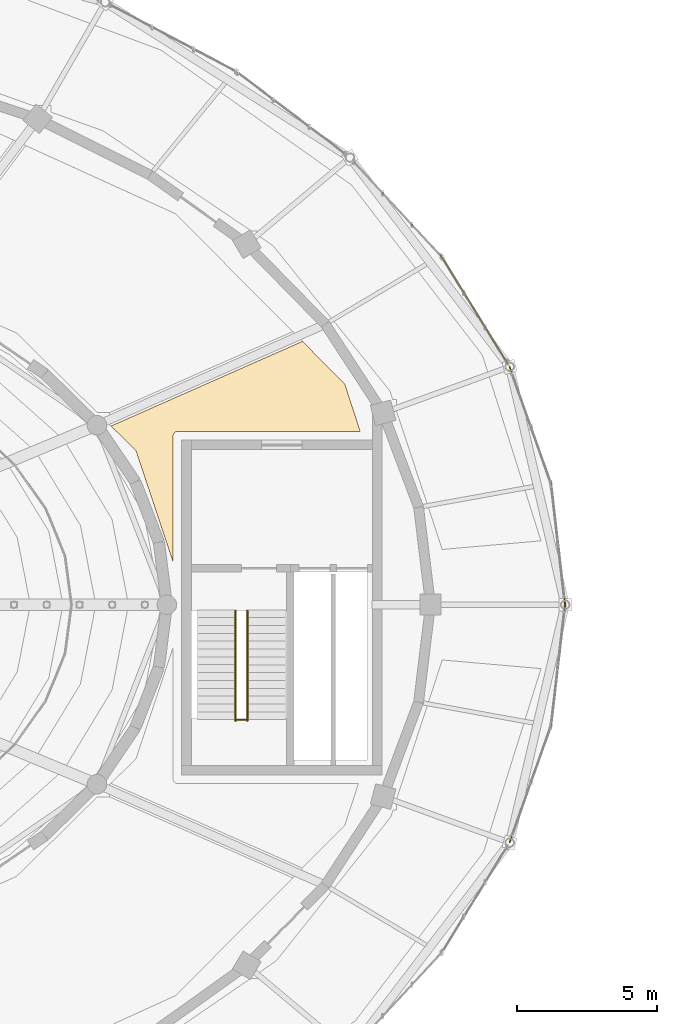
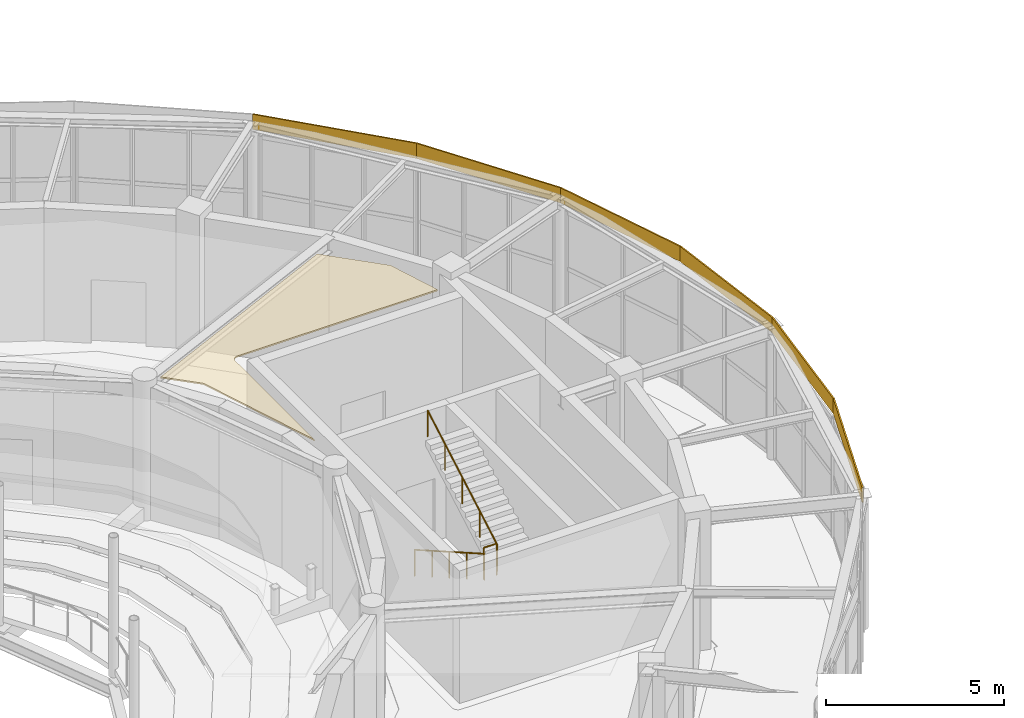
# One storey, part 103 of 108: 7 coverings, 3 railings.
"""IFC4 building model written with IfcOpenShell, lengths in metres."""

from ifc_helpers import new_model, si_unit, direction, frame, frame_2d, origin, origin_2d, place, context, subcontext, project, spatial, polyline, rectangle, circle, outline, extrude, material, layer, layer_set, type_object, element, save


model = new_model("IFC4")

# Units and contexts
model_context = context("Model", 3, precision=1e-05, world=origin(), true_north=direction((0.0, 1.0)))
body_context = subcontext(model_context, "Body", "Model", "MODEL_VIEW")
ifc_project = project(units=[si_unit("LENGTHUNIT", "METRE"), si_unit("AREAUNIT", "SQUARE_METRE"), si_unit("VOLUMEUNIT", "CUBIC_METRE"), si_unit("PLANEANGLEUNIT", "RADIAN"), si_unit("MASSUNIT", "GRAM", prefix="KILO")], contexts=[model_context])

# Site, building, storey
site_placement = place(None, origin())
site = spatial("IfcSite", under=ifc_project, at=site_placement, CompositionType="ELEMENT")
building_placement = place(site_placement, origin())
building = spatial("IfcBuilding", under=site, at=building_placement, Name="Tarnveldt Headland Concert Hall", CompositionType="ELEMENT")
storey_placement = place(building_placement, frame((0.0, 0.0, 9.60009765625)))
storey = spatial("IfcBuildingStorey", under=building, at=storey_placement, Name="L02", CompositionType="ELEMENT", Elevation=9.60009765625)

# Coverings
ifc_material_1 = material(Name="Micro-perforated mvule acoustic ceiling panel", Category="timber")
ifc_layer_1 = layer(ifc_material_1, 0.050048828125, Name="Micro-perforated mvule acoustic ceiling panel", Category="timber")
ifc_layer_set_1 = layer_set([ifc_layer_1], Name="Micro-perforated mvule acoustic ceiling panel")
covering_type_1 = type_object("IfcCoveringType", Name="CV-CEIL50", PredefinedType="CEILING", material=ifc_layer_set_1)
covering_1_placement = place(storey_placement, frame((0.0, 0.0, 4.5)))
element("IfcCovering", 1, at=covering_1_placement, inside=storey, type_object=covering_type_1, Name="Acoustic mvule ceiling L02-10-256", PredefinedType="CEILING", context=body_context, shape_type="SweptSolid", body=[
    extrude(outline(polyline([(102.44775390625, 60.672119140625), (102.43115234375, 60.666259765625), (102.4150390625, 60.65869140625), (102.39990234375, 60.649658203125), (102.3857421875, 60.63916015625), (102.372802734375, 60.627197265625), (102.36083984375, 60.6142578125), (102.350341796875, 60.60009765625), (102.34130859375, 60.5849609375), (102.333740234375, 60.56884765625), (102.327880859375, 60.55224609375), (102.323486328125, 60.53515625), (102.32080078125, 60.517578125), (102.320068359375, 60.5), (102.320068359375, 56.033203125), (101.01123046875, 59.9521484375), (101.005126953125, 59.968017578125), (100.99755859375, 59.983154296875), (100.988525390625, 59.99755859375), (100.978271484375, 60.010986328125), (100.966796875, 60.0234375), (100.10791015625, 60.86962890625), (106.93408203125, 63.88818359375), (108.440185546875, 62.37353515625), (108.994384765625, 60.679931640625), (102.5, 60.679931640625), (102.482421875, 60.67919921875), (102.46484375, 60.676513671875), (102.44775390625, 60.672119140625)])), origin(), (0.0, 0.0, 1.0), 0.0498046875),
])
ifc_material_2 = material(Name="Treated East African mvule hardwood", Category="wood")
ifc_layer_2 = layer(ifc_material_2, 0.044921875, Name="Treated East African mvule hardwood", Category="wood")
ifc_layer_set_2 = layer_set([ifc_layer_2], Name="Treated East African mvule hardwood")
covering_type_2 = type_object("IfcCoveringType", Name="CV-CLAD45", PredefinedType="CLADDING", material=ifc_layer_set_2)
covering_2_placement = place(storey_placement, frame((116.300048828125, 54.5, 4.27001953125), z_axis=(0.0, 0.0, 1.0), x_axis=(-0.11494260035, 0.993372135015, 0.0)))
element("IfcCovering", 2, at=covering_2_placement, inside=storey, type_object=covering_type_2, Name="Mvule hardwood fascia band L02-1", PredefinedType="CLADDING", context=body_context, shape_type="SweptSolid", body=[
    extrude(rectangle(XDim=4.335205078125, YDim=0.044921875, at=frame_2d((2.16748046875, 0.0))), origin(), (0.0, 0.0, 1.0), 0.519775390625),
])
covering_3_placement = place(storey_placement, frame((115.8017578125, 58.806396484375, 4.27001953125), z_axis=(0.0, 0.0, 1.0), x_axis=(-0.334010357608, 0.942569403816, 0.0)))
element("IfcCovering", 3, at=covering_3_placement, inside=storey, type_object=covering_type_2, Name="Mvule hardwood fascia band L02-2", PredefinedType="CLADDING", context=body_context, shape_type="SweptSolid", body=[
    extrude(rectangle(XDim=4.43017578125, YDim=0.044921875, at=frame_2d((2.215087890625, 0.0))), origin(), (0.0, 0.0, 1.0), 0.519775390625),
])
covering_4_placement = place(storey_placement, frame((114.322021484375, 62.982177734375, 4.27001953125), z_axis=(0.0, 0.0, 1.0), x_axis=(-0.524979001727, 0.851115178895, 0.0)))
element("IfcCovering", 4, at=covering_4_placement, inside=storey, type_object=covering_type_2, Name="Mvule hardwood fascia band L02-3", PredefinedType="CLADDING", context=body_context, shape_type="SweptSolid", body=[
    extrude(rectangle(XDim=4.60302734375, YDim=0.044921875, at=frame_2d((2.301513671875, 0.0))), origin(), (0.0, 0.0, 1.0), 0.519775390625),
])
covering_5_placement = place(storey_placement, frame((111.905517578125, 66.89990234375, 4.27001953125), z_axis=(0.0, 0.0, 1.0), x_axis=(-0.67944736966, 0.733724247835, 0.0)))
element("IfcCovering", 5, at=covering_5_placement, inside=storey, type_object=covering_type_2, Name="Mvule hardwood fascia band L02-4", PredefinedType="CLADDING", context=body_context, shape_type="SweptSolid", body=[
    extrude(rectangle(XDim=4.826416015625, YDim=0.044921875, at=frame_2d((2.4130859375, 0.0))), origin(), (0.0, 0.0, 1.0), 0.519775390625),
])
covering_6_placement = place(storey_placement, frame((114.322021484375, 46.017822265625, 4.27001953125), z_axis=(0.0, 0.0, 1.0), x_axis=(0.334010357608, 0.942569403816, 0.0)))
element("IfcCovering", 6, at=covering_6_placement, inside=storey, type_object=covering_type_2, Name="Mvule hardwood fascia band L02-35", PredefinedType="CLADDING", context=body_context, shape_type="SweptSolid", body=[
    extrude(rectangle(XDim=4.43017578125, YDim=0.044921875, at=frame_2d((2.215087890625, 0.0))), origin(), (0.0, 0.0, 1.0), 0.519775390625),
])
covering_7_placement = place(storey_placement, frame((115.8017578125, 50.193603515625, 4.27001953125), z_axis=(0.0, 0.0, 1.0), x_axis=(0.11494260035, 0.993372135015, 0.0)))
element("IfcCovering", 7, at=covering_7_placement, inside=storey, type_object=covering_type_2, Name="Mvule hardwood fascia band L02-36", PredefinedType="CLADDING", context=body_context, shape_type="SweptSolid", body=[
    extrude(rectangle(XDim=4.335205078125, YDim=0.044921875, at=frame_2d((2.16748046875, 0.0))), origin(), (0.0, 0.0, 1.0), 0.519775390625),
])

# Railings
ifc_material_3 = material(Name="Marine stainless steel", Category="steel")
ifc_layer_3 = layer(ifc_material_3, 0.06005859375, Name="Marine stainless steel", Category="steel")
ifc_layer_set_3 = layer_set([ifc_layer_3], Name="Marine stainless steel")
railing_type_1 = type_object("IfcRailingType", Name="RL-GRD110", PredefinedType="GUARDRAIL", material=ifc_layer_set_3)
railing_1_placement = place(storey_placement, frame((104.550048828125, 50.39990234375, 2.39990234375)))
element("IfcRailing", 8, at=railing_1_placement, inside=storey, type_object=railing_type_1, Name="GUARD STR-C2-L02 half-landing well", PredefinedType="GUARDRAIL", context=body_context, shape_type="SweptSolid", body=[
    extrude(circle(Radius=0.02392578125, at=origin_2d()), frame((0.0, 0.0, 1.076171875), z_axis=(1.0, 0.0, 0.0), x_axis=(0.0, 1.0, 0.0)), (0.0, 0.0, 1.0), 0.419921875),
    extrude(circle(Radius=0.02099609375, at=origin_2d()), origin(), (0.0, 0.0, 1.0), 1.052001953125),
    extrude(circle(Radius=0.02099609375, at=origin_2d()), frame((0.419921875, 0.0, 0.0)), (0.0, 0.0, 1.0), 1.052001953125),
])
ifc_layer_4 = layer(ifc_material_3, 0.048095703125, Name="Marine stainless steel", Category="steel")
ifc_layer_set_4 = layer_set([ifc_layer_4], Name="Marine stainless steel")
railing_type_2 = type_object("IfcRailingType", Name="RL-HND092", PredefinedType="HANDRAIL", material=ifc_layer_set_4)
railing_2_placement = place(storey_placement, frame((104.550048828125, 54.280029296875, 0.159912109375)))
element("IfcRailing", 9, at=railing_2_placement, inside=storey, type_object=railing_type_2, Name="HANDRAIL STR-C2-L02 flight 1", PredefinedType="HANDRAIL", context=body_context, shape_type="SweptSolid", body=[
    extrude(circle(Radius=0.02392578125, at=origin_2d()), frame((0.0, 0.0, 0.89599609375), z_axis=(0.0, -0.868239814368, 0.496144761885), x_axis=(1.0, 0.0, 0.0)), (0.0, 0.0, 1.0), 4.514892578125),
    extrude(circle(Radius=0.02099609375, at=origin_2d()), origin(), (0.0, 0.0, 1.0), 0.871826171875),
    extrude(circle(Radius=0.02099609375, at=origin_2d()), frame((0.0, -0.97998046875, 0.56005859375)), (0.0, 0.0, 1.0), 0.871826171875),
    extrude(circle(Radius=0.02099609375, at=origin_2d()), frame((0.0, -1.9599609375, 1.1201171875)), (0.0, 0.0, 1.0), 0.871826171875),
    extrude(circle(Radius=0.02099609375, at=origin_2d()), frame((0.0, -2.93994140625, 1.679931640625)), (0.0, 0.0, 1.0), 0.871826171875),
    extrude(circle(Radius=0.02099609375, at=origin_2d()), frame((0.0, -3.919921875, 2.239990234375)), (0.0, 0.0, 1.0), 0.871826171875),
])
railing_3_placement = place(storey_placement, frame((104.969970703125, 50.360107421875, 2.559814453125)))
element("IfcRailing", 10, at=railing_3_placement, inside=storey, type_object=railing_type_2, Name="HANDRAIL STR-C2-L02 flight 2", PredefinedType="HANDRAIL", context=body_context, shape_type="SweptSolid", body=[
    extrude(circle(Radius=0.02392578125, at=origin_2d()), frame((0.0, 0.0, 0.89599609375), z_axis=(0.0, 0.868239814368, 0.496144761885), x_axis=(-1.0, 0.0, 0.0)), (0.0, 0.0, 1.0), 4.514892578125),
    extrude(circle(Radius=0.02099609375, at=origin_2d()), origin(), (0.0, 0.0, 1.0), 0.871826171875),
    extrude(circle(Radius=0.02099609375, at=origin_2d()), frame((0.0, 0.97998046875, 0.56005859375)), (0.0, 0.0, 1.0), 0.871826171875),
    extrude(circle(Radius=0.02099609375, at=origin_2d()), frame((0.0, 1.9599609375, 1.1201171875)), (0.0, 0.0, 1.0), 0.871826171875),
    extrude(circle(Radius=0.02099609375, at=origin_2d()), frame((0.0, 2.93994140625, 1.679931640625)), (0.0, 0.0, 1.0), 0.871826171875),
    extrude(circle(Radius=0.02099609375, at=origin_2d()), frame((0.0, 3.919921875, 2.239990234375)), (0.0, 0.0, 1.0), 0.871826171875),
])

save(model, "model.ifc")
